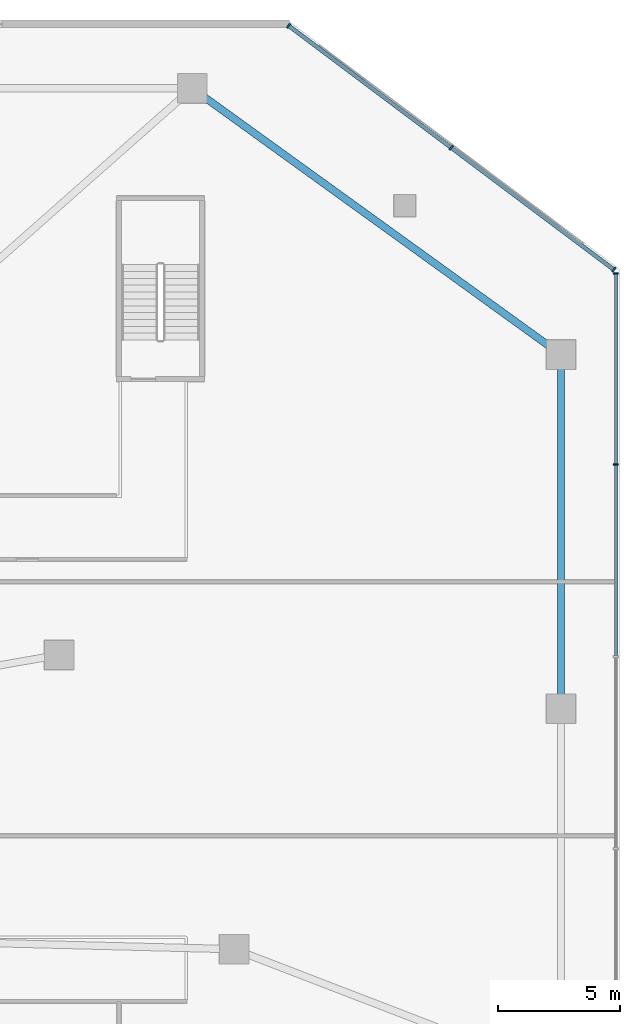
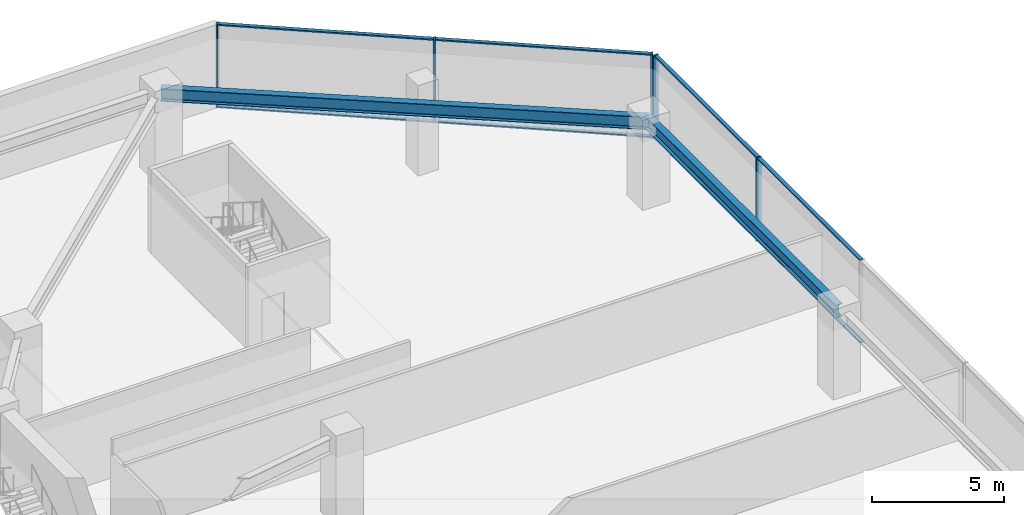
# One storey, part 9 of 22: 13 members, 2 beams, 2 elements without a shape of their own.
"""IFC4 building model written with IfcOpenShell, lengths in metres."""

import ifcopenshell
import ifcopenshell.guid

model = None  # the IFC model being written
_history = None  # IfcOwnerHistory: only IFC2X3 demands one
_inside = {}  # id of a spatial element -> (the spatial element, [elements in it])
_under = {}  # id of a project, library or spatial element -> (it, [spatial elements below it])
_declared = {}  # id of a project -> (the project, [libraries it declares])
_typed = {}  # id of a type object -> (the type object, [elements of that type])
_made_of = {}  # id of a material, layer set ... -> (it, [elements and type objects made of it])


def new_model(schema):
    """Start an empty IFC model of exactly this schema.

    Asked for "IFC4X3", IfcOpenShell would pick the latest addendum, in which some entities
    have other attributes; the version numbers below select the first issue.
    IFC2X3 requires an IfcOwnerHistory on every rooted entity: one is made here for all.
    """
    global model, _history
    if schema == "IFC4X3":
        model = ifcopenshell.file(schema_version=(4, 3, 0, 0))
    else:
        model = ifcopenshell.file(schema=schema)
    _inside.clear()
    _under.clear()
    _declared.clear()
    _typed.clear()
    _made_of.clear()
    _history = None
    if model.schema == "IFC2X3":
        org = make("IfcOrganization", Name="unknown")
        user = make(
            "IfcPersonAndOrganization",
            ThePerson=make("IfcPerson", FamilyName="unknown"),
            TheOrganization=org,
        )
        app = make(
            "IfcApplication",
            ApplicationDeveloper=org,
            Version="unknown",
            ApplicationFullName="unknown",
            ApplicationIdentifier="unknown",
        )
        _history = make(
            "IfcOwnerHistory",
            OwningUser=user,
            OwningApplication=app,
            ChangeAction="ADDED",
            CreationDate=0,
        )
    return model


def make(cls, **values):
    """One entity of the class cls with the attributes given. An attribute that is None is left unset."""
    return model.create_entity(
        cls, **{name: value for name, value in values.items() if value is not None}
    )


def rooted(cls, **values):
    """An entity with a GlobalId (a new one), such as an element, a storey or a relation."""
    return make(cls, GlobalId=ifcopenshell.guid.new(), OwnerHistory=_history, **values)


def si_unit(unit_type, name, prefix=None):
    """IfcSIUnit, for example si_unit("LENGTHUNIT", "METRE", prefix="MILLI")."""
    return make("IfcSIUnit", UnitType=unit_type, Prefix=prefix, Name=name)


def assignment(units):
    """IfcUnitAssignment: the units of a project."""
    return None if units is None else make("IfcUnitAssignment", Units=units)


def point(xyz):
    """IfcCartesianPoint."""
    return None if xyz is None else make("IfcCartesianPoint", Coordinates=xyz)


def direction(xyz):
    """IfcDirection."""
    return None if xyz is None else make("IfcDirection", DirectionRatios=xyz)


def frame(location, z_axis=None, x_axis=None):
    """IfcAxis2Placement3D, a coordinate frame: its origin and axes. An axis left out is left unset."""
    return make(
        "IfcAxis2Placement3D",
        Location=point(location),
        Axis=direction(z_axis),
        RefDirection=direction(x_axis),
    )


def frame_2d(location, x_axis=None):
    """IfcAxis2Placement2D, a coordinate frame in the plane: its origin and x axis."""
    return make(
        "IfcAxis2Placement2D", Location=point(location), RefDirection=direction(x_axis)
    )


def origin():
    """The frame at (0, 0, 0) with its axes left unset."""
    return frame((0.0, 0.0, 0.0))


def origin_2d():
    """The frame at (0, 0) in the plane with its x axis left unset."""
    return frame_2d((0.0, 0.0))


def place(relative_to, where):
    """IfcLocalPlacement: puts the frame where relative to a parent placement (None: the world)."""
    return make(
        "IfcLocalPlacement", PlacementRelTo=relative_to, RelativePlacement=where
    )


def context(
    kind, dimensions, precision=None, world=None, true_north=None, identifier=None
):
    """IfcGeometricRepresentationContext, for example the 3D "Model" context."""
    return make(
        "IfcGeometricRepresentationContext",
        ContextIdentifier=identifier,
        ContextType=kind,
        CoordinateSpaceDimension=dimensions,
        Precision=precision,
        WorldCoordinateSystem=world,
        TrueNorth=true_north,
    )


def subcontext(parent, identifier, kind, view, scale=None):
    """IfcGeometricRepresentationSubContext, for example "Body" below "Model"."""
    return make(
        "IfcGeometricRepresentationSubContext",
        ContextIdentifier=identifier,
        ContextType=kind,
        ParentContext=parent,
        TargetScale=scale,
        TargetView=view,
    )


def project(units=None, contexts=None):
    """IfcProject with its units and contexts."""
    return rooted(
        "IfcProject",
        Name="project",
        RepresentationContexts=contexts,
        UnitsInContext=assignment(units),
    )


def spatial(cls, under=None, at=None, **own):
    """A site, building, storey or space (cls), placed at a placement, below another one or the project."""
    s = rooted(cls, ObjectPlacement=at, **own)
    if under is not None:
        _under.setdefault(under.id(), (under, []))[1].append(s)
    return s


def profile(cls, at=None, kind="AREA", **sizes):
    """A parametric profile (cls). Its sizes go by their IFC names, for example OverallWidth=200.0."""
    return make(cls, ProfileType=kind, Position=at, **sizes)


def rectangle(**sizes):
    """IfcRectangleProfileDef."""
    return profile("IfcRectangleProfileDef", **sizes)


def i_section(**sizes):
    """IfcIShapeProfileDef."""
    return profile("IfcIShapeProfileDef", **sizes)


def extrude(swept, where, along, depth):
    """IfcExtrudedAreaSolid: the profile swept, set in the frame where, extruded along a direction by depth."""
    return make(
        "IfcExtrudedAreaSolid",
        SweptArea=swept,
        Position=where,
        ExtrudedDirection=direction(along),
        Depth=depth,
    )


def shape(context_of_items, identifier, shape_type, items):
    """IfcShapeRepresentation: the items that make up one representation, for example the "Body"."""
    return make(
        "IfcShapeRepresentation",
        ContextOfItems=context_of_items,
        RepresentationIdentifier=identifier,
        RepresentationType=shape_type,
        Items=items,
    )


def material(Name=None, Category=None):
    """IfcMaterial."""
    return make("IfcMaterial", Name=Name, Category=Category)


def material_profile(
    of_material, cross_section, Name=None, Category=None, Priority=None
):
    """IfcMaterialProfile: a cross section and its material."""
    return make(
        "IfcMaterialProfile",
        Name=Name,
        Material=of_material,
        Profile=cross_section,
        Priority=Priority,
        Category=Category,
    )


def profile_set(profiles, Name=None, composite=None):
    """IfcMaterialProfileSet."""
    return make(
        "IfcMaterialProfileSet",
        Name=Name,
        MaterialProfiles=profiles,
        CompositeProfile=composite,
    )


def made_of(thing, what):
    """Note that an element or type object is made of a material, layer set ...; save() writes the relation."""
    if what is not None:
        _made_of.setdefault(what.id(), (what, []))[1].append(thing)
    return thing


def type_object(cls, material=None, **own):
    """A type object (cls), such as IfcWallType, which elements share."""
    return made_of(rooted(cls, **own), material)


def element(
    cls,
    number,
    at=None,
    inside=None,
    cuts=None,
    type_object=None,
    material=None,
    context=None,
    identifier="Body",
    shape_type=None,
    held_by="IfcProductDefinitionShape",
    body=None,
    shapes=None,
    **own,
):
    """One element of the class cls, such as IfcWall. Its Tag is "e" and its number.

    at: its placement. inside: the storey or other place that contains it. cuts: it is an
    opening in that element (IfcRelVoidsElement). A single representation is given by context,
    identifier, shape_type and body (its items); several are given by shapes. held_by: the class
    of the entity that holds the representations. save() writes the other relations.
    """
    e = rooted(cls, Tag="e%d" % number, ObjectPlacement=at, **own)
    if body is not None:
        shapes = [shape(context, identifier, shape_type, body)]
    if shapes is not None:
        e.Representation = make(held_by, Representations=shapes)
    if inside is not None:
        _inside.setdefault(inside.id(), (inside, []))[1].append(e)
    if cuts is not None:
        rooted(
            "IfcRelVoidsElement", RelatingBuildingElement=cuts, RelatedOpeningElement=e
        )
    if type_object is not None:
        _typed.setdefault(type_object.id(), (type_object, []))[1].append(e)
    return made_of(e, material)


def aggregate(whole, parts):
    """IfcRelAggregates: a whole, such as a stair, and the parts it consists of."""
    return rooted("IfcRelAggregates", RelatingObject=whole, RelatedObjects=parts)


def save(model, path):
    """Write the relations noted so far, then the file.

    IfcRelAggregates (storeys below a building ...), IfcRelContainedInSpatialStructure (elements
    in a storey), IfcRelDefinesByType, IfcRelAssociatesMaterial and IfcRelDeclares: one each for
    every whole, place, type object, material and project.
    """
    for whole, parts in _under.values():
        aggregate(whole, parts)
    for where, things in _inside.values():
        rooted(
            "IfcRelContainedInSpatialStructure",
            RelatedElements=things,
            RelatingStructure=where,
        )
    for kind, things in _typed.values():
        rooted("IfcRelDefinesByType", RelatedObjects=things, RelatingType=kind)
    for what, things in _made_of.values():
        rooted("IfcRelAssociatesMaterial", RelatedObjects=things, RelatingMaterial=what)
    for by, libraries in _declared.values():
        rooted("IfcRelDeclares", RelatingContext=by, RelatedDefinitions=libraries)
    model.write(path)


model = new_model("IFC4")

# Units and contexts
model_context = context("Model", 3, precision=1e-05, world=origin(), true_north=direction((0.0, 1.0)))
body_context = subcontext(model_context, "Body", "Model", "MODEL_VIEW")
ifc_project = project(units=[si_unit("LENGTHUNIT", "METRE"), si_unit("AREAUNIT", "SQUARE_METRE"), si_unit("VOLUMEUNIT", "CUBIC_METRE"), si_unit("PLANEANGLEUNIT", "RADIAN"), si_unit("MASSUNIT", "GRAM", prefix="KILO")], contexts=[model_context])

# Site, building, storey
site_placement = place(None, origin())
site = spatial("IfcSite", under=ifc_project, at=site_placement, CompositionType="ELEMENT")
building_placement = place(site_placement, origin())
building = spatial("IfcBuilding", under=site, at=building_placement, Name="Savorim Split Tower", CompositionType="ELEMENT")
storey_placement = place(building_placement, frame((0.0, 0.0, 17.60009765625)))
storey = spatial("IfcBuildingStorey", under=building, at=storey_placement, Name="L04", CompositionType="ELEMENT", Elevation=17.60009765625)

# Beams
ifc_material_1 = material(Name="Steel S355", Category="steel")
ifc_material_profile_1 = material_profile(ifc_material_1, i_section(OverallWidth=0.300048828125, OverallDepth=0.590087890625, WebThickness=0.012939453125, FlangeThickness=0.02490234375, FilletRadius=0.027099609375, at=origin_2d()), Name="HEA 600")
ifc_profile_set_1 = profile_set([ifc_material_profile_1], Name="Steel S355")
beam_type = type_object("IfcBeamType", Name="BM-SPN-HEA600", PredefinedType="SPANDREL", material=ifc_profile_set_1)
beam_1_placement = place(storey_placement, frame((38.60009765625, 0.0, 3.5849609375), z_axis=(0.0, 1.0, 0.0), x_axis=(-1.0, 0.0, 0.0)))
element("IfcBeam", 1, at=beam_1_placement, inside=storey, type_object=beam_type, Name="L04 Podium Spandrel Beam 4", PredefinedType="SPANDREL", context=body_context, shape_type="SweptSolid", body=[
    extrude(i_section(OverallWidth=0.300048828125, OverallDepth=0.590087890625, WebThickness=0.012939453125, FlangeThickness=0.02490234375, FilletRadius=0.027099609375, at=origin_2d()), origin(), (0.0, 0.0, 1.0), 14.5),
])
beam_2_placement = place(storey_placement, frame((38.60009765625, 14.5, 3.5849609375), z_axis=(-0.810825083438, 0.585288547699, 0.0), x_axis=(-0.585288547699, -0.810825083438, 0.0)))
element("IfcBeam", 2, at=beam_2_placement, inside=storey, type_object=beam_type, Name="L04 Podium Spandrel Beam 5", PredefinedType="SPANDREL", context=body_context, shape_type="SweptSolid", body=[
    extrude(i_section(OverallWidth=0.300048828125, OverallDepth=0.590087890625, WebThickness=0.012939453125, FlangeThickness=0.02490234375, FilletRadius=0.027099609375, at=origin_2d()), origin(), (0.0, 0.0, 1.0), 18.623046875),
])

# Curtain wall, members
ifc_material_2 = material(Name="Dark Ceramic-Fritted Insulated Glass", Category="glass")
curtain_wall_type = type_object("IfcCurtainWallType", Name="CW-POD-GLZ", PredefinedType="NOTDEFINED", material=ifc_material_2)
curtain_wall_1_placement = place(storey_placement, origin())
curtain_wall_1 = element("IfcCurtainWall", 3, at=curtain_wall_1_placement, inside=storey, type_object=curtain_wall_type, Name="L04 Curtain Wall CW-L04-E06", PredefinedType="NOTDEFINED")
ifc_material_3 = material(Name="Charcoal Anodised Aluminium", Category="aluminium")
ifc_material_profile_2 = material_profile(ifc_material_3, rectangle(XDim=0.219970703125, YDim=0.070068359375, at=origin_2d()), Name="ALU-M 220x70")
ifc_profile_set_2 = profile_set([ifc_material_profile_2], Name="Charcoal Anodised Aluminium")
member_type_1 = type_object("IfcMemberType", Name="CWM-220x70", PredefinedType="MULLION", material=ifc_profile_set_2)
member_1_placement = place(storey_placement, frame((40.840087890625, 9.99609375, 0.0), z_axis=(0.0, 0.0, 1.0), x_axis=(-1.0, 0.0, 0.0)))
member_1 = element("IfcMember", 4, at=member_1_placement, type_object=member_type_1, Name="CW-01 mullion 5", PredefinedType="MULLION", context=body_context, shape_type="SweptSolid", body=[
    extrude(rectangle(XDim=0.219970703125, YDim=0.070068359375, at=origin_2d()), origin(), (0.0, 0.0, 1.0), 3.8798828125),
])
member_2_placement = place(storey_placement, frame((40.840087890625, 17.824951171875, 0.0), z_axis=(0.0, 0.0, 1.0), x_axis=(-1.0, 0.0, 0.0)))
member_2 = element("IfcMember", 5, at=member_2_placement, type_object=member_type_1, Name="CW-01 mullion 6", PredefinedType="MULLION", context=body_context, shape_type="SweptSolid", body=[
    extrude(rectangle(XDim=0.219970703125, YDim=0.070068359375, at=origin_2d()), origin(), (0.0, 0.0, 1.0), 3.8798828125),
])

curtain_wall_2_placement = place(storey_placement, origin())
curtain_wall_2 = element("IfcCurtainWall", 6, at=curtain_wall_2_placement, inside=storey, type_object=curtain_wall_type, Name="L04 Curtain Wall CW-L04-E07", PredefinedType="NOTDEFINED")
member_3_placement = place(storey_placement, frame((40.763916015625, 17.97705078125, 0.0), z_axis=(0.0, 0.0, 1.0), x_axis=(-0.600000000002, -0.799999999998, 0.0)))
member_3 = element("IfcMember", 7, at=member_3_placement, type_object=member_type_1, Name="CW-01 mullion 1", PredefinedType="MULLION", context=body_context, shape_type="SweptSolid", body=[
    extrude(rectangle(XDim=0.219970703125, YDim=0.070068359375, at=origin_2d()), origin(), (0.0, 0.0, 1.0), 3.8798828125),
])
member_4_placement = place(storey_placement, frame((34.10400390625, 22.971923828125, 0.0), z_axis=(0.0, 0.0, 1.0), x_axis=(-0.600000000002, -0.799999999998, 0.0)))
member_4 = element("IfcMember", 8, at=member_4_placement, type_object=member_type_1, Name="CW-01 mullion 2", PredefinedType="MULLION", context=body_context, shape_type="SweptSolid", body=[
    extrude(rectangle(XDim=0.219970703125, YDim=0.070068359375, at=origin_2d()), origin(), (0.0, 0.0, 1.0), 3.8798828125),
])
member_5_placement = place(storey_placement, frame((27.444091796875, 27.967041015625, 0.0), z_axis=(0.0, 0.0, 1.0), x_axis=(-0.600000000002, -0.799999999998, 0.0)))
member_5 = element("IfcMember", 9, at=member_5_placement, type_object=member_type_1, Name="CW-01 mullion 3", PredefinedType="MULLION", context=body_context, shape_type="SweptSolid", body=[
    extrude(rectangle(XDim=0.219970703125, YDim=0.070068359375, at=origin_2d()), origin(), (0.0, 0.0, 1.0), 3.8798828125),
])

# Member
ifc_material_profile_3 = material_profile(ifc_material_3, rectangle(XDim=0.159912109375, YDim=0.06005859375, at=origin_2d()), Name="ALU-T 160x60")
ifc_profile_set_3 = profile_set([ifc_material_profile_3], Name="Charcoal Anodised Aluminium")
member_type_2 = type_object("IfcMemberType", Name="CWT-160x60", PredefinedType="USERDEFINED", material=ifc_profile_set_3)
member_6_placement = place(storey_placement, frame((40.840087890625, 2.1669921875, 0.02978515625), z_axis=(0.0, 1.0, 0.0), x_axis=(-1.0, 0.0, 0.0)))
member_6 = element("IfcMember", 10, at=member_6_placement, type_object=member_type_2, Name="CW-01 transom 4.1", ObjectType="TRANSOM", PredefinedType="USERDEFINED", context=body_context, shape_type="SweptSolid", body=[
    extrude(rectangle(XDim=0.159912109375, YDim=0.06005859375, at=origin_2d()), origin(), (0.0, 0.0, 1.0), 7.7939453125),
])

member_7_placement = place(storey_placement, frame((40.840087890625, 2.1669921875, 3.849853515625), z_axis=(0.0, 1.0, 0.0), x_axis=(-1.0, 0.0, 0.0)))
member_7 = element("IfcMember", 11, at=member_7_placement, type_object=member_type_2, Name="CW-01 transom 4.2", ObjectType="TRANSOM", PredefinedType="USERDEFINED", context=body_context, shape_type="SweptSolid", body=[
    extrude(rectangle(XDim=0.159912109375, YDim=0.06005859375, at=origin_2d()), origin(), (0.0, 0.0, 1.0), 7.7939453125),
])

member_8_placement = place(storey_placement, frame((40.840087890625, 10.031005859375, 0.02978515625), z_axis=(0.0, 1.0, 0.0), x_axis=(-1.0, 0.0, 0.0)))
member_8 = element("IfcMember", 12, at=member_8_placement, type_object=member_type_2, Name="CW-01 transom 5.1", ObjectType="TRANSOM", PredefinedType="USERDEFINED", context=body_context, shape_type="SweptSolid", body=[
    extrude(rectangle(XDim=0.159912109375, YDim=0.06005859375, at=origin_2d()), origin(), (0.0, 0.0, 1.0), 7.759033203125),
])

member_9_placement = place(storey_placement, frame((40.840087890625, 10.031005859375, 3.849853515625), z_axis=(0.0, 1.0, 0.0), x_axis=(-1.0, 0.0, 0.0)))
member_9 = element("IfcMember", 13, at=member_9_placement, type_object=member_type_2, Name="CW-01 transom 5.2", ObjectType="TRANSOM", PredefinedType="USERDEFINED", context=body_context, shape_type="SweptSolid", body=[
    extrude(rectangle(XDim=0.159912109375, YDim=0.06005859375, at=origin_2d()), origin(), (0.0, 0.0, 1.0), 7.759033203125),
])

aggregate(curtain_wall_1, [member_1, member_2, member_6, member_7, member_8, member_9])

member_10_placement = place(storey_placement, frame((40.736083984375, 17.998046875, 0.02978515625), z_axis=(-0.800007097974, 0.599990535918, 0.0), x_axis=(-0.599990535918, -0.800007097974, 0.0)))
member_10 = element("IfcMember", 14, at=member_10_placement, type_object=member_type_2, Name="CW-01 transom 1.1", ObjectType="TRANSOM", PredefinedType="USERDEFINED", context=body_context, shape_type="SweptSolid", body=[
    extrude(rectangle(XDim=0.159912109375, YDim=0.06005859375, at=origin_2d()), origin(), (0.0, 0.0, 1.0), 8.2548828125),
])

member_11_placement = place(storey_placement, frame((40.736083984375, 17.998046875, 3.849853515625), z_axis=(-0.800007097974, 0.599990535918, 0.0), x_axis=(-0.599990535918, -0.800007097974, 0.0)))
member_11 = element("IfcMember", 15, at=member_11_placement, type_object=member_type_2, Name="CW-01 transom 1.2", ObjectType="TRANSOM", PredefinedType="USERDEFINED", context=body_context, shape_type="SweptSolid", body=[
    extrude(rectangle(XDim=0.159912109375, YDim=0.06005859375, at=origin_2d()), origin(), (0.0, 0.0, 1.0), 8.2548828125),
])

member_12_placement = place(storey_placement, frame((34.075927734375, 22.992919921875, 0.02978515625), z_axis=(-0.79999290204, 0.60000946383, 0.0), x_axis=(-0.60000946383, -0.79999290204, 0.0)))
member_12 = element("IfcMember", 16, at=member_12_placement, type_object=member_type_2, Name="CW-01 transom 2.1", ObjectType="TRANSOM", PredefinedType="USERDEFINED", context=body_context, shape_type="SweptSolid", body=[
    extrude(rectangle(XDim=0.159912109375, YDim=0.06005859375, at=origin_2d()), origin(), (0.0, 0.0, 1.0), 8.255126953125),
])

member_13_placement = place(storey_placement, frame((34.075927734375, 22.992919921875, 3.849853515625), z_axis=(-0.79999290204, 0.60000946383, 0.0), x_axis=(-0.60000946383, -0.79999290204, 0.0)))
member_13 = element("IfcMember", 17, at=member_13_placement, type_object=member_type_2, Name="CW-01 transom 2.2", ObjectType="TRANSOM", PredefinedType="USERDEFINED", context=body_context, shape_type="SweptSolid", body=[
    extrude(rectangle(XDim=0.159912109375, YDim=0.06005859375, at=origin_2d()), origin(), (0.0, 0.0, 1.0), 8.255126953125),
])

aggregate(curtain_wall_2, [member_3, member_4, member_5, member_10, member_11, member_12, member_13])

save(model, "model.ifc")
